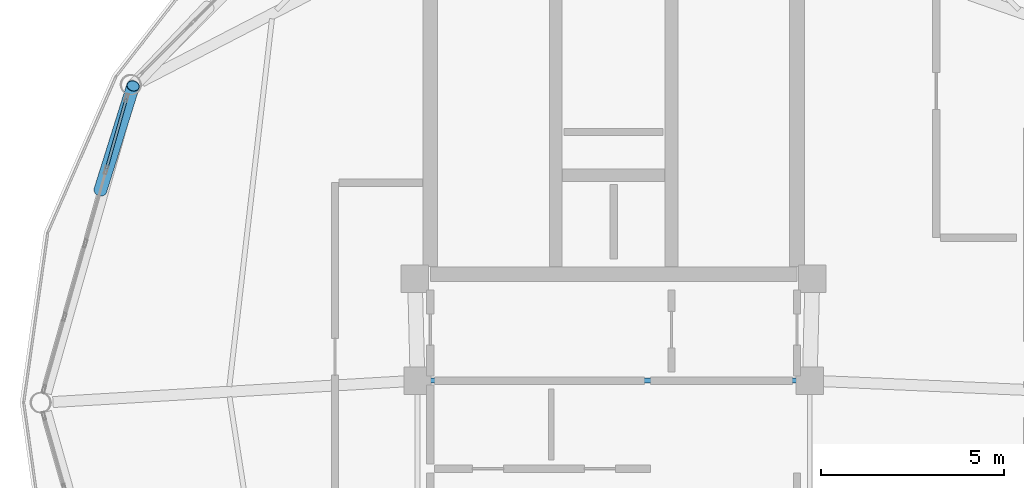
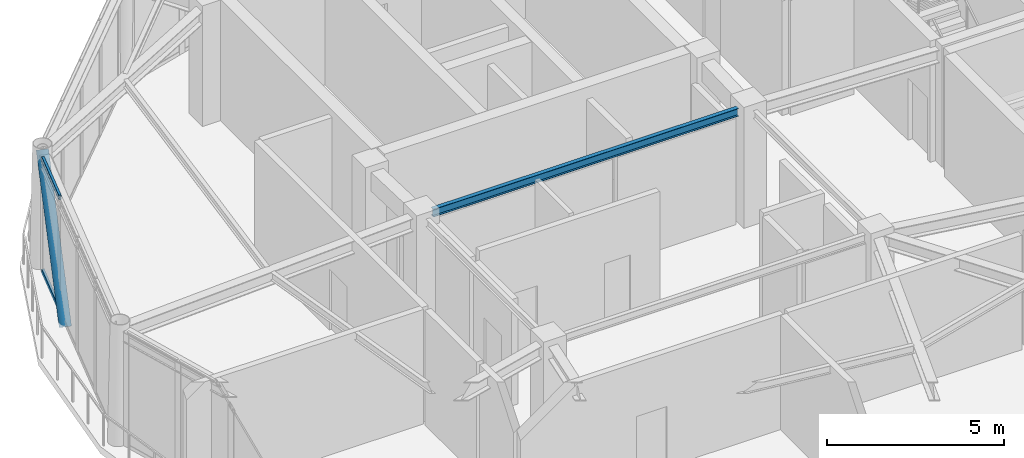
# One storey, part 8 of 20: 3 members, 1 beam, 1 element without a shape of its own.
"""IFC4 building model written with IfcOpenShell, lengths in metres."""

from ifc_helpers import new_model, si_unit, direction, frame, origin, origin_2d, place, context, subcontext, project, spatial, hollow_rectangle, hollow_circle, i_section, extrude, material, layer, layer_set, material_profile, profile_set, type_object, element, aggregate, save


model = new_model("IFC4")

# Units and contexts
model_context = context("Model", 3, precision=1e-05, world=origin(), true_north=direction((0.0, 1.0)))
body_context = subcontext(model_context, "Body", "Model", "MODEL_VIEW")
ifc_project = project(units=[si_unit("LENGTHUNIT", "METRE"), si_unit("AREAUNIT", "SQUARE_METRE"), si_unit("VOLUMEUNIT", "CUBIC_METRE"), si_unit("PLANEANGLEUNIT", "RADIAN"), si_unit("MASSUNIT", "GRAM", prefix="KILO")], contexts=[model_context])

# Site, building, storey
site_placement = place(None, origin())
site = spatial("IfcSite", under=ifc_project, at=site_placement, CompositionType="ELEMENT")
building_placement = place(site_placement, origin())
building = spatial("IfcBuilding", under=site, at=building_placement, Name="Varnakorn Sky Granary", CompositionType="ELEMENT")
storey_placement = place(building_placement, frame((0.0, 0.0, 302.39990234375)))
storey = spatial("IfcBuildingStorey", under=building, at=storey_placement, Name="L77", CompositionType="ELEMENT", Elevation=302.39990234375)

# Beam
ifc_material_1 = material(Name="Steel S355JR", Category="steel")
ifc_material_profile_1 = material_profile(ifc_material_1, i_section(OverallWidth=0.135009765625, OverallDepth=0.27001953125, WebThickness=0.006591796875, FlangeThickness=0.01025390625, at=origin_2d()), Name="IPE 270")
ifc_profile_set_1 = profile_set([ifc_material_profile_1], Name="Steel S355JR")
beam_type = type_object("IfcBeamType", Name="BM-SEC-Z5", PredefinedType="BEAM", material=ifc_profile_set_1)
beam_placement = place(storey_placement, frame((-1.9951171875, 0.60009765625, 3.8251953125), z_axis=(1.0, 0.0, 0.0), x_axis=(0.0, 1.0, 0.0)))
element("IfcBeam", 1, at=beam_placement, inside=storey, type_object=beam_type, Name="Core Spine Framing Beam 5 L77", PredefinedType="BEAM", context=body_context, shape_type="SweptSolid", body=[
    extrude(i_section(OverallWidth=0.135009765625, OverallDepth=0.27001953125, WebThickness=0.006591796875, FlangeThickness=0.01025390625, at=origin_2d()), origin(), (0.0, 0.0, 1.0), 9.990234375),
])

# Curtain wall, members
ifc_material_2 = material(Name="Anodised Bronze Aluminium Alloy 6063-T6", Category="aluminium")
ifc_layer = layer(ifc_material_2, 0.22998046875, Name="Anodised Bronze Aluminium Alloy 6063-T6")
ifc_layer_set = layer_set([ifc_layer], Name="Anodised Bronze Aluminium Alloy 6063-T6")
curtain_wall_type = type_object("IfcCurtainWallType", Name="CW-LNT-1", PredefinedType="USERDEFINED", material=ifc_layer_set)
curtain_wall_placement = place(storey_placement, origin())
curtain_wall = element("IfcCurtainWall", 2, at=curtain_wall_placement, inside=storey, type_object=curtain_wall_type, Name="Unitised Curtain Wall CW7 CW-L77-B06", ObjectType="CURTAIN WALL", PredefinedType="USERDEFINED")
ifc_material_profile_2 = material_profile(ifc_material_2, hollow_rectangle(XDim=0.074951171875, YDim=0.159912109375, WallThickness=0.00390625, at=origin_2d()), Name="ALU TRAN 75x160")
ifc_profile_set_2 = profile_set([ifc_material_profile_2], Name="Anodised Bronze Aluminium Alloy 6063-T6")
member_type_1 = type_object("IfcMemberType", Name="CW-LNT-1-TRAN", PredefinedType="USERDEFINED", material=ifc_profile_set_2)
member_1_placement = place(storey_placement, frame((-10.833740234375, 6.37939453125, 0.03759765625), z_axis=(0.272824100275, 0.962063932548, 0.0), x_axis=(-0.962063932548, 0.272824100275, 0.0)))
member_1 = element("IfcMember", 3, at=member_1_placement, type_object=member_type_1, Name="CW7 transom 4.1", ObjectType="TRANSOM", PredefinedType="USERDEFINED", context=body_context, shape_type="SweptSolid", body=[
    extrude(hollow_rectangle(XDim=0.074951171875, YDim=0.159912109375, WallThickness=0.00390625, at=origin_2d()), origin(), (0.0, 0.0, 1.0), 1.97216796875),
])
member_2_placement = place(storey_placement, frame((-10.833740234375, 6.37939453125, 3.922607421875), z_axis=(0.272824100275, 0.962063932548, 0.0), x_axis=(-0.962063932548, 0.272824100275, 0.0)))
member_2 = element("IfcMember", 4, at=member_2_placement, type_object=member_type_1, Name="CW7 transom 4.2", ObjectType="TRANSOM", PredefinedType="USERDEFINED", context=body_context, shape_type="SweptSolid", body=[
    extrude(hollow_rectangle(XDim=0.074951171875, YDim=0.159912109375, WallThickness=0.00390625, at=origin_2d()), origin(), (0.0, 0.0, 1.0), 1.97216796875),
])
aggregate(curtain_wall, [member_1, member_2])

# Member
ifc_material_3 = material(Name="Steel S460M", Category="steel")
ifc_material_profile_3 = material_profile(ifc_material_3, hollow_circle(Radius=0.177734375, WallThickness=0.01416015625, at=origin_2d()), Name="CHS 355.6x14")
ifc_profile_set_3 = profile_set([ifc_material_profile_3], Name="Steel S460M")
member_type_2 = type_object("IfcMemberType", Name="MB-DIAG-T5", PredefinedType="BRACE", material=ifc_profile_set_3)
member_3_placement = place(storey_placement, frame((-11.002685546875, 5.78369140625, -0.1298828125), z_axis=(0.176554239831, 0.563480202811, 0.807043159588), x_axis=(-0.954254705079, 0.298994912723, 0.0)))
element("IfcMember", 5, at=member_3_placement, inside=storey, type_object=member_type_2, Name="Perimeter CHS Diagrid Brace DG06 L77", PredefinedType="BRACE", context=body_context, shape_type="SweptSolid", body=[
    extrude(hollow_circle(Radius=0.177734375, WallThickness=0.01416015625, at=origin_2d()), origin(), (0.0, 0.0, 1.0), 5.06787109375),
])

save(model, "model.ifc")
